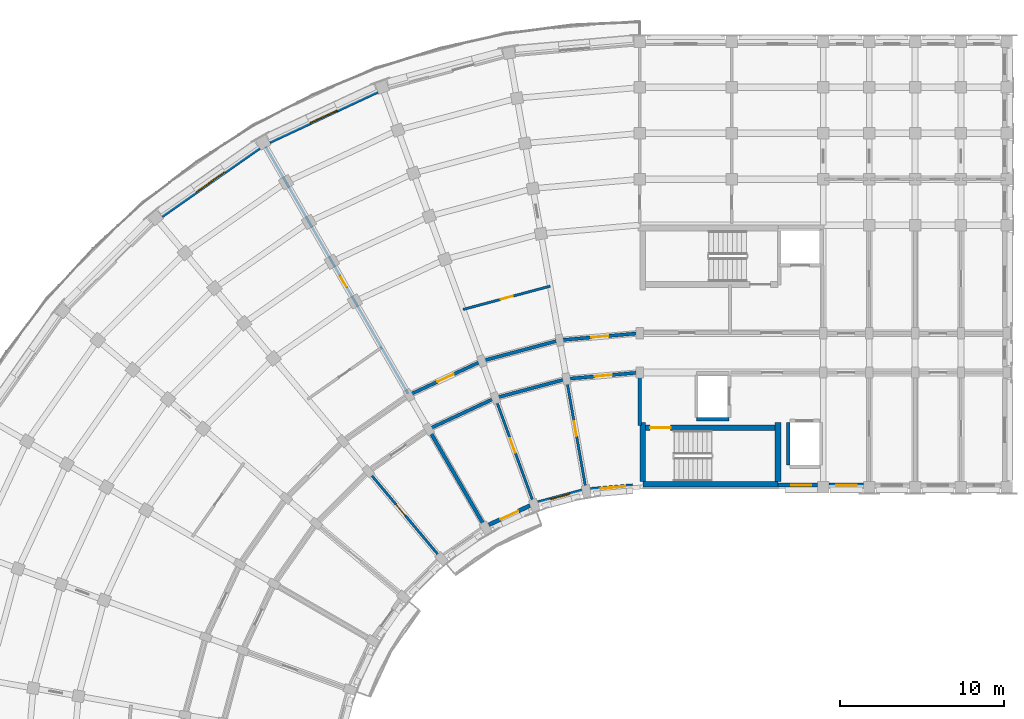
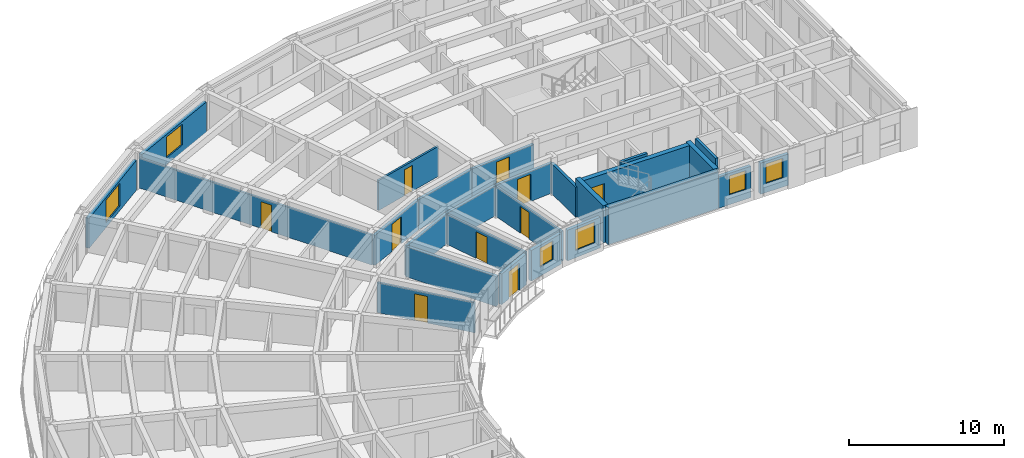
# One storey, part 27 of 57: 26 walls, 10 doors, 6 windows, 16 openings.
"""IFC4 building model written with IfcOpenShell, lengths in metres."""

from ifc_helpers import new_model, si_unit, direction, frame, frame_2d, origin, place, context, subcontext, project, spatial, rectangle, extrude, material, layer, layer_set, type_object, element, fill, save


model = new_model("IFC4")

# Units and contexts
model_context = context("Model", 3, precision=1e-05, world=origin(), true_north=direction((0.0, 1.0)))
body_context = subcontext(model_context, "Body", "Model", "MODEL_VIEW")
ifc_project = project(units=[si_unit("LENGTHUNIT", "METRE"), si_unit("AREAUNIT", "SQUARE_METRE"), si_unit("VOLUMEUNIT", "CUBIC_METRE"), si_unit("PLANEANGLEUNIT", "RADIAN"), si_unit("MASSUNIT", "GRAM", prefix="KILO")], contexts=[model_context])

# Site, building, storey
site_placement = place(None, origin())
site = spatial("IfcSite", under=ifc_project, at=site_placement, CompositionType="ELEMENT")
building_placement = place(site_placement, origin())
building = spatial("IfcBuilding", under=site, at=building_placement, Name="Kiranvali Square Residences", CompositionType="ELEMENT")
storey_placement = place(building_placement, frame((0.0, 0.0, 24.449951171875)))
storey = spatial("IfcBuildingStorey", under=building, at=storey_placement, Name="L07", CompositionType="ELEMENT", Elevation=24.449951171875)

# Wall, opening, door
ifc_material_1 = material(Name="Autoclaved aerated concrete blockwork masonry", Category="masonry")
ifc_layer_1 = layer(ifc_material_1, 0.199951171875)
ifc_layer_set_1 = layer_set([ifc_layer_1], Name="Autoclaved aerated concrete blockwork masonry")
wall_type_1 = type_object("IfcWallType", Name="WL-COR-200", PredefinedType="STANDARD", material=ifc_layer_set_1)
wall_1_placement = place(storey_placement, frame((48.199951171875, 113.60009765625, 0.0), z_axis=(0.0, 0.0, 1.0), x_axis=(-0.996191949488, -0.087187153726, 0.0)))
wall_1 = element("IfcWall", 1, at=wall_1_placement, inside=storey, type_object=wall_type_1, Name="L07 architectural wall WL-L07-A-CCI-0", PredefinedType="STANDARD", context=body_context, shape_type="SweptSolid", body=[
    extrude(rectangle(XDim=4.4970703125, YDim=0.199951171875, at=frame_2d((2.24853515625, 0.0))), origin(), (0.0, 0.0, 1.0), 2.3720703125),
])
opening_1_placement = place(wall_1_placement, frame((1.728515625, 0.0, 0.0)))
opening_1 = element("IfcOpeningElement", 2, at=opening_1_placement, cuts=wall_1, Name="Opening FD-APT-60B", PredefinedType="OPENING", context=body_context, shape_type="SweptSolid", body=[
    extrude(rectangle(XDim=1.0400390625, YDim=2.14990234375, at=frame_2d((0.52001953125, 1.074951171875))), frame((0.0, 0.10986328125, 0.0), z_axis=(0.0, -1.0, 0.0), x_axis=(1.0, 0.0, 0.0)), (0.0, 0.0, 1.0), 0.219970703125),
])
ifc_material_2 = material(Name="Fire-rated acoustic hardwood and mineral-core door assembly", Category="wood")
door_type_1 = type_object("IfcDoorType", Name="DR-APT-1040", OperationType="NOTDEFINED", PredefinedType="DOOR", material=ifc_material_2)
door_1_placement = place(opening_1_placement, frame((1.0400390625, 0.0, 0.0), z_axis=(0.0, 0.0, 1.0), x_axis=(-1.0, 0.0, 0.0)))
door_1 = element("IfcDoor", 3, at=door_1_placement, inside=storey, type_object=door_type_1, Name="L07 door DR-L07-0498 (DR-APT-1040)", OperationType="SINGLE_SWING_RIGHT", OverallHeight=2.14990234375, OverallWidth=1.0400390625, PredefinedType="DOOR", context=body_context, shape_type="SweptSolid", body=[
    extrude(rectangle(XDim=1.0400390625, YDim=2.14990234375, at=frame_2d((0.52001953125, 1.074951171875))), frame((0.0, 0.02490234375, 0.0), z_axis=(0.0, -1.0, 0.0), x_axis=(1.0, 0.0, 0.0)), (0.0, 0.0, 1.0), 0.050048828125),
])
fill(opening_1, door_1)

wall_2_placement = place(storey_placement, frame((48.199951171875, 116.0, 0.0), z_axis=(0.0, 0.0, 1.0), x_axis=(-0.996193663584, -0.087167566415, 0.0)))
wall_2 = element("IfcWall", 4, at=wall_2_placement, inside=storey, type_object=wall_type_1, Name="L07 architectural wall WL-L07-A-CCO-0", PredefinedType="STANDARD", context=body_context, shape_type="SweptSolid", body=[
    extrude(rectangle(XDim=4.91552734375, YDim=0.199951171875, at=frame_2d((2.457763671875, 0.0))), origin(), (0.0, 0.0, 1.0), 2.3720703125),
])
opening_2_placement = place(wall_2_placement, frame((1.937744140625, 0.0, 0.0)))
opening_2 = element("IfcOpeningElement", 5, at=opening_2_placement, cuts=wall_2, Name="Opening FD-APT-60B", PredefinedType="OPENING", context=body_context, shape_type="SweptSolid", body=[
    extrude(rectangle(XDim=1.0400390625, YDim=2.14990234375, at=frame_2d((0.52001953125, 1.074951171875))), frame((0.0, 0.10986328125, 0.0), z_axis=(0.0, -1.0, 0.0), x_axis=(1.0, 0.0, 0.0)), (0.0, 0.0, 1.0), 0.219970703125),
])
door_2_placement = place(opening_2_placement, frame((1.0400390625, 0.0, 0.0), z_axis=(0.0, 0.0, 1.0), x_axis=(-1.0, 0.0, 0.0)))
door_2 = element("IfcDoor", 6, at=door_2_placement, inside=storey, type_object=door_type_1, Name="L07 door DR-L07-0490 (DR-APT-1040)", OperationType="SINGLE_SWING_RIGHT", OverallHeight=2.14990234375, OverallWidth=1.0400390625, PredefinedType="DOOR", context=body_context, shape_type="SweptSolid", body=[
    extrude(rectangle(XDim=1.0400390625, YDim=2.14990234375, at=frame_2d((0.52001953125, 1.074951171875))), frame((0.0, 0.02490234375, 0.0), z_axis=(0.0, -1.0, 0.0), x_axis=(1.0, 0.0, 0.0)), (0.0, 0.0, 1.0), 0.050048828125),
])
fill(opening_2, door_2)

# Walls
wall_3_placement = place(storey_placement, frame((43.719970703125, 113.2080078125, 0.0), z_axis=(0.0, 0.0, 1.0), x_axis=(-0.965934240054, -0.258787642463, 0.0)))
element("IfcWall", 7, at=wall_3_placement, inside=storey, type_object=wall_type_1, Name="L07 architectural wall WL-L07-A-CCI-1", PredefinedType="STANDARD", context=body_context, shape_type="SweptSolid", body=[
    extrude(rectangle(XDim=4.497314453125, YDim=0.199951171875, at=frame_2d((2.24853515625, 0.0))), origin(), (0.0, 0.0, 1.0), 2.3720703125),
])
wall_4_placement = place(storey_placement, frame((43.30322265625, 115.571533203125, 0.0), z_axis=(0.0, 0.0, 1.0), x_axis=(-0.965930095386, -0.258803112091, 0.0)))
element("IfcWall", 8, at=wall_4_placement, inside=storey, type_object=wall_type_1, Name="L07 architectural wall WL-L07-A-CCO-1", PredefinedType="STANDARD", context=body_context, shape_type="SweptSolid", body=[
    extrude(rectangle(XDim=4.915771484375, YDim=0.199951171875, at=frame_2d((2.4580078125, 0.0))), origin(), (0.0, 0.0, 1.0), 2.3720703125),
])
wall_5_placement = place(storey_placement, frame((39.3759765625, 112.044189453125, 0.0), z_axis=(0.0, 0.0, 1.0), x_axis=(-0.906307919131, -0.422617978463, 0.0)))
element("IfcWall", 9, at=wall_5_placement, inside=storey, type_object=wall_type_1, Name="L07 architectural wall WL-L07-A-CCI-2", PredefinedType="STANDARD", context=body_context, shape_type="SweptSolid", body=[
    extrude(rectangle(XDim=4.497314453125, YDim=0.199951171875, at=frame_2d((2.24853515625, 0.0))), origin(), (0.0, 0.0, 1.0), 2.3720703125),
])

# Wall, opening, door
wall_6_placement = place(storey_placement, frame((38.554931640625, 114.29931640625, 0.0), z_axis=(0.0, 0.0, 1.0), x_axis=(-0.906302381024, -0.422629854778, 0.0)))
wall_6 = element("IfcWall", 10, at=wall_6_placement, inside=storey, type_object=wall_type_1, Name="L07 architectural wall WL-L07-A-CCO-2", PredefinedType="STANDARD", context=body_context, shape_type="SweptSolid", body=[
    extrude(rectangle(XDim=4.915283203125, YDim=0.199951171875, at=frame_2d((2.45751953125, 0.0))), origin(), (0.0, 0.0, 1.0), 2.3720703125),
])
opening_3_placement = place(wall_6_placement, frame((1.917724609375, 0.0, 0.0)))
opening_3 = element("IfcOpeningElement", 11, at=opening_3_placement, cuts=wall_6, Name="Opening FD-APT-60C", PredefinedType="OPENING", context=body_context, shape_type="SweptSolid", body=[
    extrude(rectangle(XDim=1.080078125, YDim=2.14990234375, at=frame_2d((0.5400390625, 1.074951171875))), frame((0.0, 0.10986328125, 0.0), z_axis=(0.0, -1.0, 0.0), x_axis=(1.0, 0.0, 0.0)), (0.0, 0.0, 1.0), 0.219970703125),
])
door_type_2 = type_object("IfcDoorType", Name="DR-APT-1080", OperationType="NOTDEFINED", PredefinedType="DOOR", material=ifc_material_2)
door_3_placement = place(opening_3_placement, frame((1.080078125, 0.0, 0.0), z_axis=(0.0, 0.0, 1.0), x_axis=(-1.0, 0.0, 0.0)))
door_3 = element("IfcDoor", 12, at=door_3_placement, inside=storey, type_object=door_type_2, Name="L07 door DR-L07-0492 (DR-APT-1080)", OperationType="SINGLE_SWING_RIGHT", OverallHeight=2.14990234375, OverallWidth=1.080078125, PredefinedType="DOOR", context=body_context, shape_type="SweptSolid", body=[
    extrude(rectangle(XDim=1.080078125, YDim=2.14990234375, at=frame_2d((0.5400390625, 1.074951171875))), frame((0.0, 0.02490234375, 0.0), z_axis=(0.0, -1.0, 0.0), x_axis=(1.0, 0.0, 0.0)), (0.0, 0.0, 1.0), 0.050048828125),
])
fill(opening_3, door_3)

# Walls
ifc_layer_2 = layer(ifc_material_1, 0.219970703125)
ifc_layer_set_2 = layer_set([ifc_layer_2], Name="Autoclaved aerated concrete blockwork masonry")
wall_type_2 = type_object("IfcWallType", Name="WL-DEM-220", PredefinedType="STANDARD", material=ifc_layer_set_2)
wall_7_placement = place(storey_placement, frame((48.199951171875, 110.35009765625, 0.0), z_axis=(0.0, 0.0, 1.0), x_axis=(0.0, 1.0, 0.0)))
element("IfcWall", 13, at=wall_7_placement, inside=storey, type_object=wall_type_2, Name="L07 architectural wall WL-L07-A-RADI-0", PredefinedType="STANDARD", context=body_context, shape_type="SweptSolid", body=[
    extrude(rectangle(XDim=3.199951171875, YDim=0.219970703125, at=frame_2d((1.60009765625, 0.0))), origin(), (0.0, 0.0, 1.0), 2.3720703125),
])
wall_8_placement = place(storey_placement, frame((38.699951171875, 104.25439453125, 0.0), z_axis=(0.0, 0.0, 1.0), x_axis=(-0.499997969693, 0.866026575979, 0.0)))
element("IfcWall", 14, at=wall_8_placement, inside=storey, type_object=wall_type_2, Name="L07 architectural wall WL-L07-A-RADI-3", PredefinedType="STANDARD", context=body_context, shape_type="SweptSolid", body=[
    extrude(rectangle(XDim=6.75, YDim=0.219970703125, at=frame_2d((3.375, 0.0))), origin(), (0.0, 0.0, 1.0), 2.3720703125),
])

# Wall, opening, window
ifc_material_3 = material(Name="Breathable lime-rendered clay brick masonry", Category="masonry")
ifc_layer_3 = layer(ifc_material_3, 0.25)
ifc_layer_set_3 = layer_set([ifc_layer_3], Name="Breathable lime-rendered clay brick masonry")
wall_type_3 = type_object("IfcWallType", Name="WL-EXT-250", PredefinedType="STANDARD", material=ifc_layer_set_3)
wall_9_placement = place(storey_placement, frame((32.17919921875, 130.753662109375, 0.0), z_axis=(0.0, 0.0, 1.0), x_axis=(-0.90630327107, -0.422627946127, 0.0)))
wall_9 = element("IfcWall", 15, at=wall_9_placement, inside=storey, type_object=wall_type_3, Name="L07 exterior wall A-L07-CRV-02", PredefinedType="STANDARD", context=body_context, shape_type="SweptSolid", body=[
    extrude(rectangle(XDim=7.2666015625, YDim=0.25, at=frame_2d((3.63330078125, 0.0))), origin(), (0.0, 0.0, 1.0), 2.3720703125),
])
opening_4_placement = place(wall_9_placement, frame((2.7333984375, 0.0, 0.52197265625)))
opening_4 = element("IfcOpeningElement", 16, at=opening_4_placement, cuts=wall_9, Name="Opening W-04", PredefinedType="OPENING", context=body_context, shape_type="SweptSolid", body=[
    extrude(rectangle(XDim=1.800048828125, YDim=1.64990234375, at=frame_2d((0.89990234375, 0.824951171875))), frame((0.0, 0.135009765625, 0.0), z_axis=(0.0, -1.0, 0.0), x_axis=(1.0, 0.0, 0.0)), (0.0, 0.0, 1.0), 0.27001953125),
])
ifc_material_4 = material(Name="Solar-control low-e double glazing", Category="glass")
window_type_1 = type_object("IfcWindowType", Name="WIN-RES-1800x1650", PartitioningType="DOUBLE_PANEL_VERTICAL", PredefinedType="WINDOW", material=ifc_material_4)
window_1_placement = place(opening_4_placement, origin())
window_1 = element("IfcWindow", 17, at=window_1_placement, inside=storey, type_object=window_type_1, Name="L07 recessed window A-L07-CRV-02", OverallHeight=1.64990234375, OverallWidth=1.800048828125, PartitioningType="DOUBLE_PANEL_VERTICAL", PredefinedType="WINDOW", context=body_context, shape_type="SweptSolid", body=[
    extrude(rectangle(XDim=1.800048828125, YDim=1.64990234375, at=frame_2d((0.89990234375, 0.824951171875))), frame((0.0, 0.030029296875, 0.0), z_axis=(0.0, -1.0, 0.0), x_axis=(1.0, 0.0, 0.0)), (0.0, 0.0, 1.0), 0.06005859375),
])
fill(opening_4, window_1)

wall_10_placement = place(storey_placement, frame((24.9638671875, 127.319091796875, 0.0), z_axis=(0.0, 0.0, 1.0), x_axis=(-0.819159308599, -0.573566061701, 0.0)))
wall_10 = element("IfcWall", 18, at=wall_10_placement, inside=storey, type_object=wall_type_3, Name="L07 exterior wall A-L07-CRV-03", PredefinedType="STANDARD", context=body_context, shape_type="SweptSolid", body=[
    extrude(rectangle(XDim=7.266845703125, YDim=0.25, at=frame_2d((3.63330078125, 0.0))), origin(), (0.0, 0.0, 1.0), 2.3720703125),
])
opening_5_placement = place(wall_10_placement, frame((2.583251953125, 0.0, 0.3720703125)))
opening_5 = element("IfcOpeningElement", 19, at=opening_5_placement, cuts=wall_10, Name="Opening W-03", PredefinedType="OPENING", context=body_context, shape_type="SweptSolid", body=[
    extrude(rectangle(XDim=2.10009765625, YDim=1.800048828125, at=frame_2d((1.050048828125, 0.89990234375))), frame((0.0, 0.135009765625, 0.0), z_axis=(0.0, -1.0, 0.0), x_axis=(1.0, 0.0, 0.0)), (0.0, 0.0, 1.0), 0.27001953125),
])
window_type_2 = type_object("IfcWindowType", Name="WIN-RES-2100x1800", PartitioningType="TRIPLE_PANEL_VERTICAL", PredefinedType="WINDOW", material=ifc_material_4)
window_2_placement = place(opening_5_placement, origin())
window_2 = element("IfcWindow", 20, at=window_2_placement, inside=storey, type_object=window_type_2, Name="L07 recessed window A-L07-CRV-03", OverallHeight=1.800048828125, OverallWidth=2.10009765625, PartitioningType="TRIPLE_PANEL_VERTICAL", PredefinedType="WINDOW", context=body_context, shape_type="SweptSolid", body=[
    extrude(rectangle(XDim=2.10009765625, YDim=1.800048828125, at=frame_2d((1.050048828125, 0.89990234375))), frame((0.0, 0.030029296875, 0.0), z_axis=(0.0, -1.0, 0.0), x_axis=(1.0, 0.0, 0.0)), (0.0, 0.0, 1.0), 0.06005859375),
])
fill(opening_5, window_2)

wall_11_placement = place(storey_placement, frame((47.750732421875, 106.686279296875, 0.0), z_axis=(0.0, 0.0, 1.0), x_axis=(-0.996188278786, -0.087229084652, 0.0)))
wall_11 = element("IfcWall", 21, at=wall_11_placement, inside=storey, type_object=wall_type_3, Name="L07 exterior wall A-L07-GDN-00", PredefinedType="STANDARD", context=body_context, shape_type="SweptSolid", body=[
    extrude(rectangle(XDim=2.583251953125, YDim=0.25, at=frame_2d((1.29150390625, 0.0))), origin(), (0.0, 0.0, 1.0), 2.422119140625),
])
opening_6_placement = place(wall_11_placement, frame((0.448486328125, 0.0, 0.572021484375)))
opening_6 = element("IfcOpeningElement", 22, at=opening_6_placement, cuts=wall_11, Name="Opening W-05", PredefinedType="OPENING", context=body_context, shape_type="SweptSolid", body=[
    extrude(rectangle(XDim=1.5, YDim=1.64990234375, at=frame_2d((0.75, 0.824951171875))), frame((0.0, 0.135009765625, 0.0), z_axis=(0.0, -1.0, 0.0), x_axis=(1.0, 0.0, 0.0)), (0.0, 0.0, 1.0), 0.27001953125),
])
window_type_3 = type_object("IfcWindowType", Name="WIN-RES-1500x1650", PartitioningType="DOUBLE_PANEL_VERTICAL", PredefinedType="WINDOW", material=ifc_material_4)
window_3_placement = place(opening_6_placement, origin())
window_3 = element("IfcWindow", 23, at=window_3_placement, inside=storey, type_object=window_type_3, Name="L07 recessed window A-L07-GDN-00", OverallHeight=1.64990234375, OverallWidth=1.5, PartitioningType="DOUBLE_PANEL_VERTICAL", PredefinedType="WINDOW", context=body_context, shape_type="SweptSolid", body=[
    extrude(rectangle(XDim=1.5, YDim=1.64990234375, at=frame_2d((0.75, 0.824951171875))), frame((0.0, 0.030029296875, 0.0), z_axis=(0.0, -1.0, 0.0), x_axis=(1.0, 0.0, 0.0)), (0.0, 0.0, 1.0), 0.06005859375),
])
fill(opening_6, window_3)

wall_12_placement = place(storey_placement, frame((44.658203125, 106.369384765625, 0.0), z_axis=(0.0, 0.0, 1.0), x_axis=(-0.965935855992, -0.25878161084, 0.0)))
wall_12 = element("IfcWall", 24, at=wall_12_placement, inside=storey, type_object=wall_type_3, Name="L07 exterior wall A-L07-GDN-01", PredefinedType="STANDARD", context=body_context, shape_type="SweptSolid", body=[
    extrude(rectangle(XDim=2.769775390625, YDim=0.25, at=frame_2d((1.384765625, 0.0))), origin(), (0.0, 0.0, 1.0), 2.422119140625),
])
opening_7_placement = place(wall_12_placement, frame((0.784912109375, 0.0, 0.721923828125)))
opening_7 = element("IfcOpeningElement", 25, at=opening_7_placement, cuts=wall_12, Name="Opening W-06", PredefinedType="OPENING", context=body_context, shape_type="SweptSolid", body=[
    extrude(rectangle(XDim=1.199951171875, YDim=1.5, at=frame_2d((0.60009765625, 0.75))), frame((0.0, 0.135009765625, 0.0), z_axis=(0.0, -1.0, 0.0), x_axis=(1.0, 0.0, 0.0)), (0.0, 0.0, 1.0), 0.27001953125),
])
window_type_4 = type_object("IfcWindowType", Name="WIN-RES-1200x1500", PartitioningType="SINGLE_PANEL", PredefinedType="WINDOW", material=ifc_material_4)
window_4_placement = place(opening_7_placement, origin())
window_4 = element("IfcWindow", 26, at=window_4_placement, inside=storey, type_object=window_type_4, Name="L07 recessed window A-L07-GDN-01", OverallHeight=1.5, OverallWidth=1.199951171875, PartitioningType="SINGLE_PANEL", PredefinedType="WINDOW", context=body_context, shape_type="SweptSolid", body=[
    extrude(rectangle(XDim=1.199951171875, YDim=1.5, at=frame_2d((0.60009765625, 0.75))), frame((0.0, 0.030029296875, 0.0), z_axis=(0.0, -1.0, 0.0), x_axis=(1.0, 0.0, 0.0)), (0.0, 0.0, 1.0), 0.06005859375),
])
fill(opening_7, window_4)

# Wall, opening, door
wall_13_placement = place(storey_placement, frame((41.4873046875, 105.472412109375, 0.0), z_axis=(0.0, 0.0, 1.0), x_axis=(-0.906293449611, -0.422649007088, 0.0)))
wall_13 = element("IfcWall", 27, at=wall_13_placement, inside=storey, type_object=wall_type_3, Name="L07 exterior wall A-L07-GDN-02", PredefinedType="STANDARD", context=body_context, shape_type="SweptSolid", body=[
    extrude(rectangle(XDim=2.769775390625, YDim=0.25, at=frame_2d((1.384765625, 0.0))), origin(), (0.0, 0.0, 1.0), 2.422119140625),
])
opening_8_placement = place(wall_13_placement, frame((0.784912109375, 0.0, 0.0)))
opening_8 = element("IfcOpeningElement", 28, at=opening_8_placement, cuts=wall_13, Name="Opening ED-BAL-1", PredefinedType="OPENING", context=body_context, shape_type="SweptSolid", body=[
    extrude(rectangle(XDim=1.199951171875, YDim=2.14990234375, at=frame_2d((0.60009765625, 1.074951171875))), frame((0.0, 0.135009765625, 0.0), z_axis=(0.0, -1.0, 0.0), x_axis=(1.0, 0.0, 0.0)), (0.0, 0.0, 1.0), 0.27001953125),
])
ifc_material_5 = material(Name="Anodised bronze aluminium framing", Category="aluminium")
door_type_3 = type_object("IfcDoorType", Name="DR-BAL-1200", OperationType="NOTDEFINED", PredefinedType="DOOR", material=ifc_material_5)
door_4_placement = place(opening_8_placement, origin())
door_4 = element("IfcDoor", 29, at=door_4_placement, inside=storey, type_object=door_type_3, Name="L07 balcony terrace door", OperationType="SINGLE_SWING_LEFT", OverallHeight=2.14990234375, OverallWidth=1.199951171875, PredefinedType="DOOR", context=body_context, shape_type="SweptSolid", body=[
    extrude(rectangle(XDim=1.199951171875, YDim=2.14990234375, at=frame_2d((0.60009765625, 1.074951171875))), frame((0.0, 0.02490234375, 0.0), z_axis=(0.0, -1.0, 0.0), x_axis=(1.0, 0.0, 0.0)), (0.0, 0.0, 1.0), 0.050048828125),
])
fill(opening_8, door_4)

# Wall, opening, window
wall_14_placement = place(storey_placement, frame((56.62841796875, 106.72509765625, 0.0), z_axis=(0.0, 0.0, 1.0), x_axis=(1.0, 0.0, 0.0)))
wall_14 = element("IfcWall", 30, at=wall_14_placement, inside=storey, type_object=wall_type_3, Name="L07 exterior wall A-L07-A1IN-0", PredefinedType="STANDARD", context=body_context, shape_type="SweptSolid", body=[
    extrude(rectangle(XDim=2.421630859375, YDim=0.25, at=frame_2d((1.2109375, 0.0))), origin(), (0.0, 0.0, 1.0), 2.47216796875),
])
opening_9_placement = place(wall_14_placement, frame((0.821533203125, 0.0, 0.77197265625)))
opening_9 = element("IfcOpeningElement", 31, at=opening_9_placement, cuts=wall_14, Name="Opening W-06", PredefinedType="OPENING", context=body_context, shape_type="SweptSolid", body=[
    extrude(rectangle(XDim=1.199951171875, YDim=1.5, at=frame_2d((0.60009765625, 0.75))), frame((0.0, 0.135009765625, 0.0), z_axis=(0.0, -1.0, 0.0), x_axis=(1.0, 0.0, 0.0)), (0.0, 0.0, 1.0), 0.27001953125),
])
window_5_placement = place(opening_9_placement, origin())
window_5 = element("IfcWindow", 32, at=window_5_placement, inside=storey, type_object=window_type_4, Name="L07 recessed window A-L07-A1IN-0", OverallHeight=1.5, OverallWidth=1.199951171875, PartitioningType="SINGLE_PANEL", PredefinedType="WINDOW", context=body_context, shape_type="SweptSolid", body=[
    extrude(rectangle(XDim=1.199951171875, YDim=1.5, at=frame_2d((0.60009765625, 0.75))), frame((0.0, 0.030029296875, 0.0), z_axis=(0.0, -1.0, 0.0), x_axis=(1.0, 0.0, 0.0)), (0.0, 0.0, 1.0), 0.06005859375),
])
fill(opening_9, window_5)

wall_15_placement = place(storey_placement, frame((59.75341796875, 106.72509765625, 0.0), z_axis=(0.0, 0.0, 1.0), x_axis=(1.0, 0.0, 0.0)))
wall_15 = element("IfcWall", 33, at=wall_15_placement, inside=storey, type_object=wall_type_3, Name="L07 exterior wall A-L07-A1I-0", PredefinedType="STANDARD", context=body_context, shape_type="SweptSolid", body=[
    extrude(rectangle(XDim=2.093017578125, YDim=0.25, at=frame_2d((1.04638671875, 0.0))), origin(), (0.0, 0.0, 1.0), 2.47216796875),
])
opening_10_placement = place(wall_15_placement, frame((0.42138671875, 0.0, 0.721923828125)))
opening_10 = element("IfcOpeningElement", 34, at=opening_10_placement, cuts=wall_15, Name="Opening W-19", PredefinedType="OPENING", context=body_context, shape_type="SweptSolid", body=[
    extrude(rectangle(XDim=1.25, YDim=1.550048828125, at=frame_2d((0.625, 0.77490234375))), frame((0.0, 0.135009765625, 0.0), z_axis=(0.0, -1.0, 0.0), x_axis=(1.0, 0.0, 0.0)), (0.0, 0.0, 1.0), 0.27001953125),
])
window_type_5 = type_object("IfcWindowType", Name="WIN-GDN-1250x1550", PartitioningType="SINGLE_PANEL", PredefinedType="WINDOW", material=ifc_material_4)
window_6_placement = place(opening_10_placement, origin())
window_6 = element("IfcWindow", 35, at=window_6_placement, inside=storey, type_object=window_type_5, Name="L07 recessed window A-L07-A1I-0", OverallHeight=1.550048828125, OverallWidth=1.25, PartitioningType="SINGLE_PANEL", PredefinedType="WINDOW", context=body_context, shape_type="SweptSolid", body=[
    extrude(rectangle(XDim=1.25, YDim=1.550048828125, at=frame_2d((0.625, 0.77490234375))), frame((0.0, 0.030029296875, 0.0), z_axis=(0.0, -1.0, 0.0), x_axis=(1.0, 0.0, 0.0)), (0.0, 0.0, 1.0), 0.06005859375),
])
fill(opening_10, window_6)

# Wall, opening, door
ifc_material_6 = material(Name="Acoustic gypsum board drylined partition", Category="gypsum")
ifc_layer_4 = layer(ifc_material_6, 0.14990234375)
ifc_layer_set_4 = layer_set([ifc_layer_4], Name="Acoustic gypsum board drylined partition")
wall_type_4 = type_object("IfcWallType", Name="WL-PRT-150", PredefinedType="PARTITIONING", material=ifc_layer_set_4)
wall_16_placement = place(storey_placement, frame((44.900634765625, 106.51123046875, 0.0), z_axis=(0.0, 0.0, 1.0), x_axis=(-0.173647089161, 0.984807944945, 0.0)))
wall_16 = element("IfcWall", 36, at=wall_16_placement, inside=storey, type_object=wall_type_4, Name="L07 architectural wall WL-L07-A-RADI-1", PredefinedType="PARTITIONING", context=body_context, shape_type="SweptSolid", body=[
    extrude(rectangle(XDim=6.75, YDim=0.14990234375, at=frame_2d((3.375, 0.0))), origin(), (0.0, 0.0, 1.0), 2.3720703125),
])
opening_11_placement = place(wall_16_placement, frame((3.262451171875, 0.0, 0.0)))
opening_11 = element("IfcOpeningElement", 37, at=opening_11_placement, cuts=wall_16, Name="Opening ID-1", PredefinedType="OPENING", context=body_context, shape_type="SweptSolid", body=[
    extrude(rectangle(XDim=0.89990234375, YDim=2.10009765625, at=frame_2d((0.449951171875, 1.050048828125))), frame((0.0, 0.0849609375, 0.0), z_axis=(0.0, -1.0, 0.0), x_axis=(1.0, 0.0, 0.0)), (0.0, 0.0, 1.0), 0.169921875),
])
ifc_material_7 = material(Name="Solid seasoned teak hardwood joinery", Category="wood")
door_type_4 = type_object("IfcDoorType", Name="DR-INT-900", OperationType="NOTDEFINED", PredefinedType="DOOR", material=ifc_material_7)
door_5_placement = place(opening_11_placement, origin())
door_5 = element("IfcDoor", 38, at=door_5_placement, inside=storey, type_object=door_type_4, Name="L07 door DR-L07-0479 (DR-INT-900)", OperationType="SINGLE_SWING_LEFT", OverallHeight=2.10009765625, OverallWidth=0.89990234375, PredefinedType="DOOR", context=body_context, shape_type="SweptSolid", body=[
    extrude(rectangle(XDim=0.89990234375, YDim=2.10009765625, at=frame_2d((0.449951171875, 1.050048828125))), frame((0.0, 0.02490234375, 0.0), z_axis=(0.0, -1.0, 0.0), x_axis=(1.0, 0.0, 0.0)), (0.0, 0.0, 1.0), 0.050048828125),
])
fill(opening_11, door_5)

wall_17_placement = place(storey_placement, frame((41.70166015625, 105.654052734375, 0.0), z_axis=(0.0, 0.0, 1.0), x_axis=(-0.342010221662, 0.939696231917, 0.0)))
wall_17 = element("IfcWall", 39, at=wall_17_placement, inside=storey, type_object=wall_type_4, Name="L07 architectural wall WL-L07-A-RADI-2", PredefinedType="PARTITIONING", context=body_context, shape_type="SweptSolid", body=[
    extrude(rectangle(XDim=6.75, YDim=0.14990234375, at=frame_2d((3.375, 0.0))), origin(), (0.0, 0.0, 1.0), 2.3720703125),
])
opening_12_placement = place(wall_17_placement, frame((3.242431640625, 0.0, 0.0)))
opening_12 = element("IfcOpeningElement", 40, at=opening_12_placement, cuts=wall_17, Name="Opening ID-2", PredefinedType="OPENING", context=body_context, shape_type="SweptSolid", body=[
    extrude(rectangle(XDim=0.93994140625, YDim=2.10009765625, at=frame_2d((0.469970703125, 1.050048828125))), frame((0.0, 0.0849609375, 0.0), z_axis=(0.0, -1.0, 0.0), x_axis=(1.0, 0.0, 0.0)), (0.0, 0.0, 1.0), 0.169921875),
])
door_type_5 = type_object("IfcDoorType", Name="DR-INT-940", OperationType="NOTDEFINED", PredefinedType="DOOR", material=ifc_material_7)
door_6_placement = place(opening_12_placement, origin())
door_6 = element("IfcDoor", 41, at=door_6_placement, inside=storey, type_object=door_type_5, Name="L07 door DR-L07-0481 (DR-INT-940)", OperationType="SINGLE_SWING_LEFT", OverallHeight=2.10009765625, OverallWidth=0.93994140625, PredefinedType="DOOR", context=body_context, shape_type="SweptSolid", body=[
    extrude(rectangle(XDim=0.93994140625, YDim=2.10009765625, at=frame_2d((0.469970703125, 1.050048828125))), frame((0.0, 0.02490234375, 0.0), z_axis=(0.0, -1.0, 0.0), x_axis=(1.0, 0.0, 0.0)), (0.0, 0.0, 1.0), 0.050048828125),
])
fill(opening_12, door_6)

wall_18_placement = place(storey_placement, frame((34.050048828125, 112.30859375, 0.0), z_axis=(0.0, 0.0, 1.0), x_axis=(-0.499997843263, 0.866026648973, 0.0)))
wall_18 = element("IfcWall", 42, at=wall_18_placement, inside=storey, type_object=wall_type_4, Name="L07 architectural wall WL-L07-A-RADO-3", PredefinedType="PARTITIONING", context=body_context, shape_type="SweptSolid", body=[
    extrude(rectangle(XDim=17.419921875, YDim=0.14990234375, at=frame_2d((8.7099609375, 0.0))), origin(), (0.0, 0.0, 1.0), 2.3720703125),
])
opening_13_placement = place(wall_18_placement, frame((7.5, 0.0, 0.0)))
opening_13 = element("IfcOpeningElement", 43, at=opening_13_placement, cuts=wall_18, Name="Opening ID-WET", PredefinedType="OPENING", context=body_context, shape_type="SweptSolid", body=[
    extrude(rectangle(XDim=0.800048828125, YDim=2.10009765625, at=frame_2d((0.39990234375, 1.050048828125))), frame((0.0, 0.0849609375, 0.0), z_axis=(0.0, -1.0, 0.0), x_axis=(1.0, 0.0, 0.0)), (0.0, 0.0, 1.0), 0.169921875),
])
door_type_6 = type_object("IfcDoorType", Name="DR-WET-800", OperationType="NOTDEFINED", PredefinedType="DOOR", material=ifc_material_7)
door_7_placement = place(opening_13_placement, frame((0.800048828125, 0.0, 0.0), z_axis=(0.0, 0.0, 1.0), x_axis=(-1.0, 0.0, 0.0)))
door_7 = element("IfcDoor", 44, at=door_7_placement, inside=storey, type_object=door_type_6, Name="L07 door DR-L07-0482 (DR-WET-800)", OperationType="SINGLE_SWING_RIGHT", OverallHeight=2.10009765625, OverallWidth=0.800048828125, PredefinedType="DOOR", context=body_context, shape_type="SweptSolid", body=[
    extrude(rectangle(XDim=0.800048828125, YDim=2.10009765625, at=frame_2d((0.39990234375, 1.050048828125))), frame((0.0, 0.02490234375, 0.0), z_axis=(0.0, -1.0, 0.0), x_axis=(1.0, 0.0, 0.0)), (0.0, 0.0, 1.0), 0.050048828125),
])
fill(opening_13, door_7)

wall_19_placement = place(storey_placement, frame((35.987060546875, 102.354736328125, 0.0), z_axis=(0.0, 0.0, 1.0), x_axis=(-0.642784846501, 0.766046761698, 0.0)))
wall_19 = element("IfcWall", 45, at=wall_19_placement, inside=storey, type_object=wall_type_4, Name="L07 architectural wall WL-L07-A-RADI-4", PredefinedType="PARTITIONING", context=body_context, shape_type="SweptSolid", body=[
    extrude(rectangle(XDim=6.75, YDim=0.14990234375, at=frame_2d((3.375, 0.0))), origin(), (0.0, 0.0, 1.0), 2.3720703125),
])
opening_14_placement = place(wall_19_placement, frame((3.262451171875, 0.0, 0.0)))
opening_14 = element("IfcOpeningElement", 46, at=opening_14_placement, cuts=wall_19, Name="Opening ID-1", PredefinedType="OPENING", context=body_context, shape_type="SweptSolid", body=[
    extrude(rectangle(XDim=0.89990234375, YDim=2.10009765625, at=frame_2d((0.449951171875, 1.050048828125))), frame((0.0, 0.0849609375, 0.0), z_axis=(0.0, -1.0, 0.0), x_axis=(1.0, 0.0, 0.0)), (0.0, 0.0, 1.0), 0.169921875),
])
door_8_placement = place(opening_14_placement, origin())
door_8 = element("IfcDoor", 47, at=door_8_placement, inside=storey, type_object=door_type_4, Name="L07 door DR-L07-0483 (DR-INT-900)", OperationType="SINGLE_SWING_LEFT", OverallHeight=2.10009765625, OverallWidth=0.89990234375, PredefinedType="DOOR", context=body_context, shape_type="SweptSolid", body=[
    extrude(rectangle(XDim=0.89990234375, YDim=2.10009765625, at=frame_2d((0.449951171875, 1.050048828125))), frame((0.0, 0.02490234375, 0.0), z_axis=(0.0, -1.0, 0.0), x_axis=(1.0, 0.0, 0.0)), (0.0, 0.0, 1.0), 0.050048828125),
])
fill(opening_14, door_8)

# Walls
ifc_layer_5 = layer(ifc_material_1, 0.199951171875)
ifc_layer_set_5 = layer_set([ifc_layer_5], Name="Autoclaved aerated concrete blockwork masonry")
wall_type_5 = type_object("IfcWallType", Name="WL-SHF-200", PredefinedType="STANDARD", material=ifc_layer_set_5)
wall_20_placement = place(storey_placement, frame((57.25, 107.949951171875, 0.0), z_axis=(0.0, 0.0, 1.0), x_axis=(0.0, 1.0, 0.0)))
element("IfcWall", 48, at=wall_20_placement, inside=storey, type_object=wall_type_5, Name="L07 architectural wall WL-L07-A-LP1-S1", PredefinedType="STANDARD", context=body_context, shape_type="SweptSolid", body=[
    extrude(rectangle(XDim=2.60009765625, YDim=0.199951171875, at=frame_2d((1.300048828125, 0.0))), origin(), (0.0, 0.0, 1.0), 2.929931640625),
])
wall_21_placement = place(storey_placement, frame((51.64990234375, 110.75, 0.0), z_axis=(0.0, 0.0, 1.0), x_axis=(1.0, 0.0, 0.0)))
element("IfcWall", 49, at=wall_21_placement, inside=storey, type_object=wall_type_5, Name="L07 architectural wall WL-L07-A-LP2-S0", PredefinedType="STANDARD", context=body_context, shape_type="SweptSolid", body=[
    extrude(rectangle(XDim=2.0, YDim=0.199951171875, at=frame_2d((1.0, 0.0))), origin(), (0.0, 0.0, 1.0), 2.929931640625),
])
ifc_material_8 = material(Name="Concrete M45 (45 MPa)", Category="concrete")
ifc_layer_6 = layer(ifc_material_8, 0.320068359375)
ifc_layer_set_6 = layer_set([ifc_layer_6], Name="Concrete M45 (45 MPa)")
wall_type_6 = type_object("IfcWallType", Name="WL-SHR-320", PredefinedType="SHEAR", material=ifc_layer_set_6)
wall_22_placement = place(storey_placement, frame((48.375, 106.77490234375, 0.0), z_axis=(0.0, 0.0, 1.0), x_axis=(1.0, 0.0, 0.0)))
element("IfcWall", 50, at=wall_22_placement, inside=storey, type_object=wall_type_6, Name="Block A core shear wall SW-A2-OUT-L07", PredefinedType="SHEAR", context=body_context, shape_type="SweptSolid", body=[
    extrude(rectangle(XDim=8.25, YDim=0.35009765625, at=frame_2d((4.125, 0.0))), origin(), (0.0, 0.0, 1.0), 2.929931640625),
])

# Wall, opening, door
wall_23_placement = place(storey_placement, frame((48.550048828125, 110.22509765625, 0.0), z_axis=(0.0, 0.0, 1.0), x_axis=(1.0, 0.0, 0.0)))
wall_23 = element("IfcWall", 51, at=wall_23_placement, inside=storey, type_object=wall_type_6, Name="Block A core shear wall SW-A2-IN-L07", PredefinedType="SHEAR", context=body_context, shape_type="SweptSolid", body=[
    extrude(rectangle(XDim=7.89990234375, YDim=0.35009765625, at=frame_2d((3.949951171875, 0.0))), origin(), (0.0, 0.0, 1.0), 2.929931640625),
])
opening_15_placement = place(wall_23_placement, frame((0.280029296875, 0.0, 0.0)))
opening_15 = element("IfcOpeningElement", 52, at=opening_15_placement, cuts=wall_23, Name="Opening FD-ST-120", PredefinedType="OPENING", context=body_context, shape_type="SweptSolid", body=[
    extrude(rectangle(XDim=1.239990234375, YDim=2.14990234375, at=frame_2d((0.6201171875, 1.074951171875))), frame((0.0, 0.18505859375, 0.0), z_axis=(0.0, -1.0, 0.0), x_axis=(1.0, 0.0, 0.0)), (0.0, 0.0, 1.0), 0.3701171875),
])
door_type_7 = type_object("IfcDoorType", Name="DR-FD120-1200", OperationType="NOTDEFINED", PredefinedType="DOOR", material=ifc_material_2)
door_9_placement = place(opening_15_placement, frame((1.239990234375, 0.0, 0.0), z_axis=(0.0, 0.0, 1.0), x_axis=(-1.0, 0.0, 0.0)))
door_9 = element("IfcDoor", 53, at=door_9_placement, inside=storey, type_object=door_type_7, Name="L07 door DR-L07-0455 (DR-FD120-1200)", OperationType="SINGLE_SWING_LEFT", OverallHeight=2.14990234375, OverallWidth=1.239990234375, PredefinedType="DOOR", context=body_context, shape_type="SweptSolid", body=[
    extrude(rectangle(XDim=1.239990234375, YDim=2.14990234375, at=frame_2d((0.6201171875, 1.074951171875))), frame((0.0, 0.02490234375, 0.0), z_axis=(0.0, -1.0, 0.0), x_axis=(1.0, 0.0, 0.0)), (0.0, 0.0, 1.0), 0.050048828125),
])
fill(opening_15, door_9)

# Walls
for number, where, z_axis, x_axis, name in (
    (54, (48.375, 106.949951171875, 0.0), (0.0, 0.0, 1.0), (0.0, 1.0, 0.0), "Block A core shear wall SW-A2-NEAR-L07"),
    (55, (56.625, 106.949951171875, 0.0), (0.0, 0.0, 1.0), (0.0, 1.0, 0.0), "Block A core shear wall SW-A2-FAR-L07"),
):
    element("IfcWall", number, at=place(storey_placement, frame(where, z_axis=z_axis, x_axis=x_axis)), inside=storey, type_object=wall_type_6, Name=name, PredefinedType="SHEAR", context=body_context, shape_type="SweptSolid", body=[
        extrude(rectangle(XDim=3.60009765625, YDim=0.35009765625, at=frame_2d((1.800048828125, 0.0))), origin(), (0.0, 0.0, 1.0), 2.929931640625),
    ])

# Wall, opening, door
ifc_layer_7 = layer(ifc_material_1, 0.14990234375)
ifc_layer_set_7 = layer_set([ifc_layer_7], Name="Autoclaved aerated concrete blockwork masonry")
wall_type_7 = type_object("IfcWallType", Name="WL-WET-150", PredefinedType="PLUMBINGWALL", material=ifc_layer_set_7)
wall_24_placement = place(storey_placement, frame((42.721435546875, 118.87060546875, 0.0), z_axis=(0.0, 0.0, 1.0), x_axis=(-0.965929227513, -0.258806351229, 0.0)))
wall_24 = element("IfcWall", 56, at=wall_24_placement, inside=storey, type_object=wall_type_7, Name="L07 architectural wall WL-L07-A-CWET-1", PredefinedType="PLUMBINGWALL", context=body_context, shape_type="SweptSolid", body=[
    extrude(rectangle(XDim=5.49951171875, YDim=0.14990234375, at=frame_2d((2.749755859375, 0.0))), origin(), (0.0, 0.0, 1.0), 2.3720703125),
])
opening_16_placement = place(wall_24_placement, frame((2.369873046875, 0.0, 0.0)))
opening_16 = element("IfcOpeningElement", 57, at=opening_16_placement, cuts=wall_24, Name="Opening ID-WET0", PredefinedType="OPENING", context=body_context, shape_type="SweptSolid", body=[
    extrude(rectangle(XDim=0.760009765625, YDim=2.050048828125, at=frame_2d((0.3798828125, 1.02490234375))), frame((0.0, 0.0849609375, 0.0), z_axis=(0.0, -1.0, 0.0), x_axis=(1.0, 0.0, 0.0)), (0.0, 0.0, 1.0), 0.169921875),
])
door_type_8 = type_object("IfcDoorType", Name="DR-WET-760", OperationType="NOTDEFINED", PredefinedType="DOOR", material=ifc_material_7)
door_10_placement = place(opening_16_placement, origin())
door_10 = element("IfcDoor", 58, at=door_10_placement, inside=storey, type_object=door_type_8, Name="L07 door DR-L07-0491 (DR-WET-760)", OperationType="SINGLE_SWING_LEFT", OverallHeight=2.050048828125, OverallWidth=0.760009765625, PredefinedType="DOOR", context=body_context, shape_type="SweptSolid", body=[
    extrude(rectangle(XDim=0.760009765625, YDim=2.050048828125, at=frame_2d((0.3798828125, 1.02490234375))), frame((0.0, 0.02490234375, 0.0), z_axis=(0.0, -1.0, 0.0), x_axis=(1.0, 0.0, 0.0)), (0.0, 0.0, 1.0), 0.050048828125),
])
fill(opening_16, door_10)

save(model, "model.ifc")
